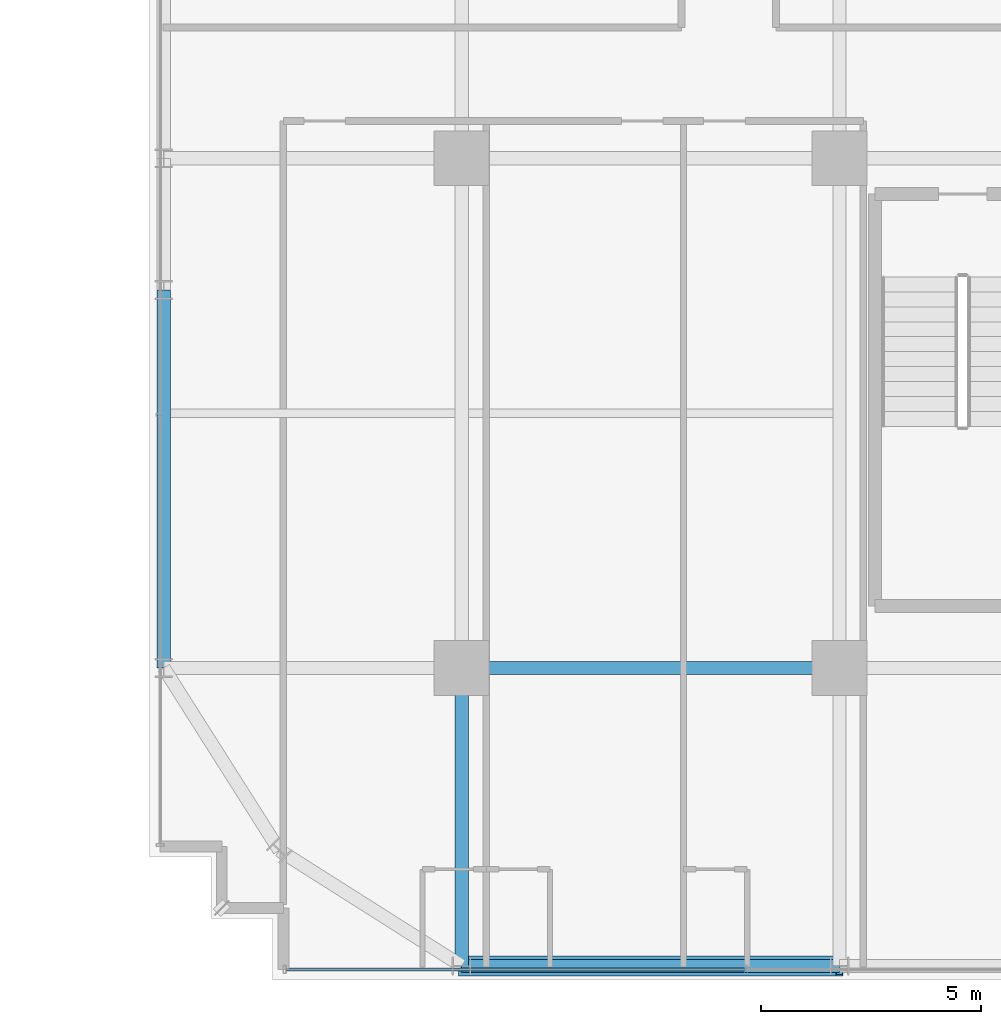
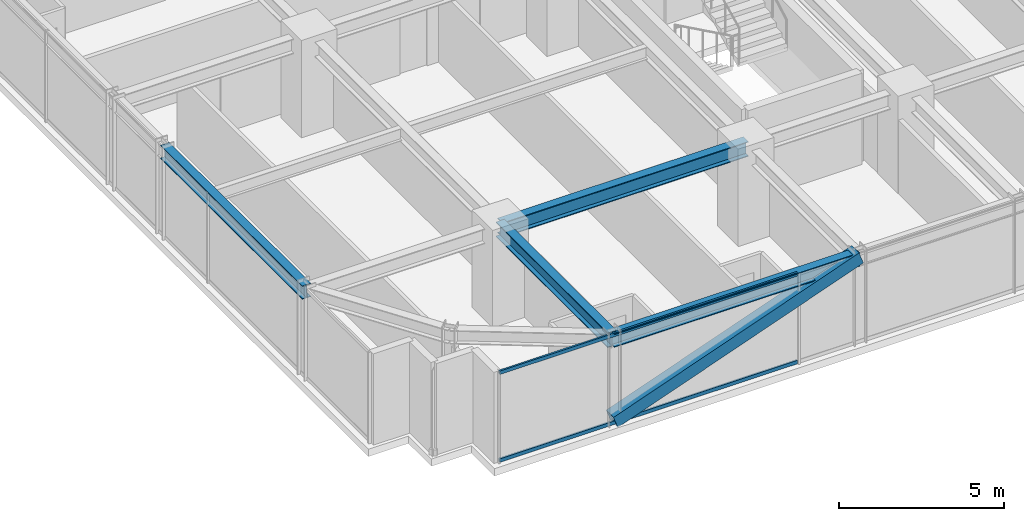
# One storey, part 3 of 39: 4 beams, 3 members, 1 element without a shape of its own.
"""IFC4 building model written with IfcOpenShell, lengths in metres."""

from ifc_helpers import new_model, si_unit, direction, frame, origin, origin_2d, place, context, subcontext, project, spatial, hollow_rectangle, i_section, extrude, source, transform, mapped, material, material_profile, profile_set, type_object, element, aggregate, save


model = new_model("IFC4")

# Units and contexts
model_context = context("Model", 3, precision=1e-05, world=origin(), true_north=direction((0.0, 1.0)))
body_context = subcontext(model_context, "Body", "Model", "MODEL_VIEW")
ifc_project = project(units=[si_unit("LENGTHUNIT", "METRE"), si_unit("AREAUNIT", "SQUARE_METRE"), si_unit("VOLUMEUNIT", "CUBIC_METRE"), si_unit("PLANEANGLEUNIT", "RADIAN"), si_unit("MASSUNIT", "GRAM", prefix="KILO")], contexts=[model_context])

# Site, building, storey
site_placement = place(None, origin())
site = spatial("IfcSite", under=ifc_project, at=site_placement, CompositionType="ELEMENT")
building_placement = place(site_placement, origin())
building = spatial("IfcBuilding", under=site, at=building_placement, Name="Nahalor Promenade Grand Hotel", CompositionType="ELEMENT")
storey_placement = place(building_placement, frame((0.0, 0.0, 135.75)))
storey = spatial("IfcBuildingStorey", under=building, at=storey_placement, Name="L34", CompositionType="ELEMENT", Elevation=135.75)

# Beams
ifc_material_1 = material(Name="Steel S355JR", Category="steel")
ifc_material_profile_1 = material_profile(ifc_material_1, i_section(OverallWidth=0.3, OverallDepth=0.5, WebThickness=0.0145, FlangeThickness=0.028, at=origin_2d()), Name="HEB 500")
ifc_profile_set_1 = profile_set([ifc_material_profile_1], Name="Steel S355JR")
beam_type_1 = type_object("IfcBeamType", Name="Beam-Spandrel-HEB500", PredefinedType="SPANDREL", material=ifc_profile_set_1)
shared_shape_1 = source(origin(), body_context, "Body", "SweptSolid", [
    extrude(i_section(OverallWidth=0.3, OverallDepth=0.5, WebThickness=0.0145, FlangeThickness=0.028, at=origin_2d()), origin(), (0.0, 0.0, 1.0), 8.60009765625),
])
for number, where, z_axis, x_axis, name in (
    (1, (-17.0, -23.780029296875, 3.1298828125), (1.0, 0.0, 0.0), (0.0, 1.0, 0.0), "BM-L34-SP-S-0"),
    (2, (-23.780029296875, -17.0, 3.1298828125), (0.0, 1.0, 0.0), (-1.0, 0.0, 0.0), "BM-L34-SP-W-0"),
):
    element("IfcBeam", number, at=place(storey_placement, frame(where, z_axis=z_axis, x_axis=x_axis)), inside=storey, type_object=beam_type_1, Name=name, PredefinedType="SPANDREL", context=body_context, shape_type="MappedRepresentation", body=[
        mapped(shared_shape_1, transform((0.0, 0.0, 0.0), scale=1.0)),
    ])
ifc_material_profile_2 = material_profile(ifc_material_1, i_section(OverallWidth=0.3, OverallDepth=0.55, WebThickness=0.015, FlangeThickness=0.029, at=origin_2d()), Name="HEB 550")
ifc_profile_set_2 = profile_set([ifc_material_profile_2], Name="Steel S355JR")
beam_type_2 = type_object("IfcBeamType", Name="Beam-Girder-HEB550", PredefinedType="BEAM", material=ifc_profile_set_2)
shared_shape_2 = source(origin(), body_context, "Body", "SweptSolid", [
    extrude(i_section(OverallWidth=0.3, OverallDepth=0.55, WebThickness=0.015, FlangeThickness=0.029, at=origin_2d()), origin(), (0.0, 0.0, 1.0), 6.780029296875),
])
beam_1_placement = place(storey_placement, frame((-17.0, -23.780029296875, 3.10498046875), z_axis=(0.0, 1.0, 0.0), x_axis=(-1.0, 0.0, 0.0)))
element("IfcBeam", 3, at=beam_1_placement, inside=storey, type_object=beam_type_2, Name="BM-L34-GY-0-0", PredefinedType="BEAM", context=body_context, shape_type="MappedRepresentation", body=[
    mapped(shared_shape_2, transform((0.0, 0.0, 0.0), scale=1.0)),
])
shared_shape_3 = source(origin(), body_context, "Body", "SweptSolid", [
    extrude(i_section(OverallWidth=0.3, OverallDepth=0.55, WebThickness=0.015, FlangeThickness=0.029, at=origin_2d()), origin(), (0.0, 0.0, 1.0), 8.60009765625),
])
beam_2_placement = place(storey_placement, frame((-17.0, -17.0, 3.10498046875), z_axis=(1.0, 0.0, 0.0), x_axis=(0.0, 1.0, 0.0)))
element("IfcBeam", 4, at=beam_2_placement, inside=storey, type_object=beam_type_2, Name="BM-L34-GX-0-1", PredefinedType="BEAM", context=body_context, shape_type="MappedRepresentation", body=[
    mapped(shared_shape_3, transform((0.0, 0.0, 0.0), scale=1.0)),
])

# Member
ifc_material_2 = material(Name="Steel S355J2", Category="steel")
ifc_material_profile_3 = material_profile(ifc_material_2, hollow_rectangle(XDim=0.45, YDim=0.45, WallThickness=0.025, at=origin_2d()), Name="SHS 450x450x25")
ifc_profile_set_3 = profile_set([ifc_material_profile_3], Name="Steel S355J2")
member_type_1 = type_object("IfcMemberType", Name="Mem-ExoBrace-SHS450", PredefinedType="BRACE", material=ifc_profile_set_3)
shared_shape_4 = source(origin(), body_context, "Body", "SweptSolid", [
    extrude(hollow_rectangle(XDim=0.45, YDim=0.45, WallThickness=0.025, at=origin_2d()), origin(), (0.0, 0.0, 1.0), 9.135009765625),
])
member_1_placement = place(storey_placement, frame((-17.0, -23.780029296875, 0.14990234375), z_axis=(0.941442840152, 0.0, 0.337172624521), x_axis=(0.0, 1.0, 0.0)))
element("IfcMember", 5, at=member_1_placement, inside=storey, type_object=member_type_1, Name="EXO-L34-S-0", PredefinedType="BRACE", context=body_context, shape_type="MappedRepresentation", body=[
    mapped(shared_shape_4, transform((0.0, 0.0, 0.0), scale=1.0)),
])

# Curtain wall, members
ifc_material_3 = material(Name="Anodised Bronze Aluminium EN AW-6063 T6", Category="aluminium")
curtain_wall_type = type_object("IfcCurtainWallType", Name="CW2 Typical Hotel Flush Bronze Unitised Curtain Wall", PredefinedType="USERDEFINED", material=ifc_material_3)
curtain_wall_placement = place(storey_placement, origin())
curtain_wall = element("IfcCurtainWall", 6, at=curtain_wall_placement, inside=storey, type_object=curtain_wall_type, Name="L34 Curtain Wall CW-L34-S-1", ObjectType="UNITISED_CURTAIN_WALL", PredefinedType="USERDEFINED")
ifc_material_profile_4 = material_profile(ifc_material_3, hollow_rectangle(XDim=0.065, YDim=0.13, WallThickness=0.004, at=origin_2d()), Name="CWT 65x130x4")
ifc_profile_set_4 = profile_set([ifc_material_profile_4], Name="Anodised Bronze Aluminium EN AW-6063 T6")
member_type_2 = type_object("IfcMemberType", Name="CWT2 Typical Bronze Transom 65x130", PredefinedType="USERDEFINED", material=ifc_profile_set_4)
shared_shape_5 = source(origin(), body_context, "Body", "SweptSolid", [
    extrude(hollow_rectangle(XDim=0.065, YDim=0.13, WallThickness=0.004, at=origin_2d()), origin(), (0.0, 0.0, 1.0), 10.4326171875),
])
member_2_placement = place(storey_placement, frame((-20.9951171875, -23.860107421875, 0.06494140625), z_axis=(1.0, 0.0, 0.0), x_axis=(0.0, 1.0, 0.0)))
member_2 = element("IfcMember", 7, at=member_2_placement, type_object=member_type_2, Name="CW-L34-S-1 Transom 0-0", ObjectType="TRANSOM", PredefinedType="USERDEFINED", context=body_context, shape_type="MappedRepresentation", body=[
    mapped(shared_shape_5, transform((0.0, 0.0, 0.0), scale=1.0)),
])
member_3_placement = place(storey_placement, frame((-20.9951171875, -23.860107421875, 3.31494140625), z_axis=(1.0, 0.0, 0.0), x_axis=(0.0, 1.0, 0.0)))
member_3 = element("IfcMember", 8, at=member_3_placement, type_object=member_type_2, Name="CW-L34-S-1 Transom 0-1", ObjectType="TRANSOM", PredefinedType="USERDEFINED", context=body_context, shape_type="MappedRepresentation", body=[
    mapped(shared_shape_5, transform((0.0, 0.0, 0.0), scale=1.0)),
])
aggregate(curtain_wall, [member_2, member_3])

save(model, "model.ifc")
